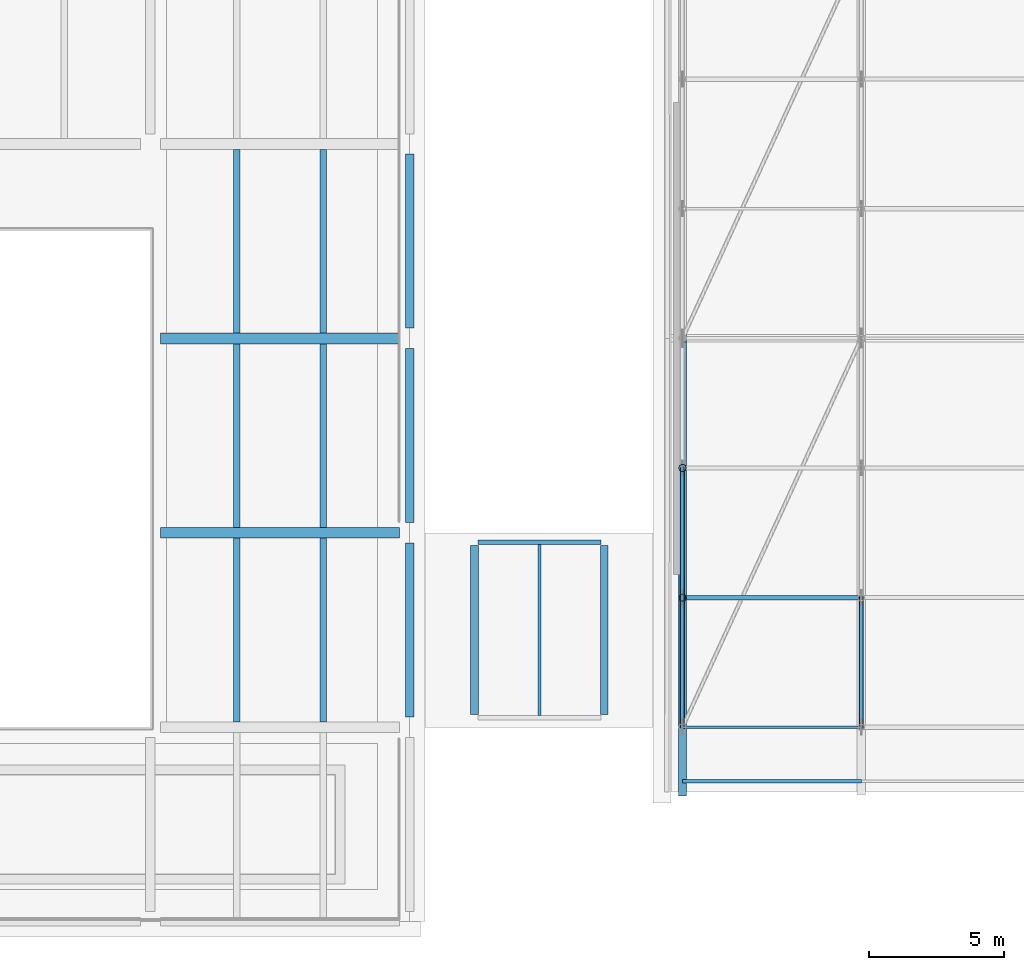
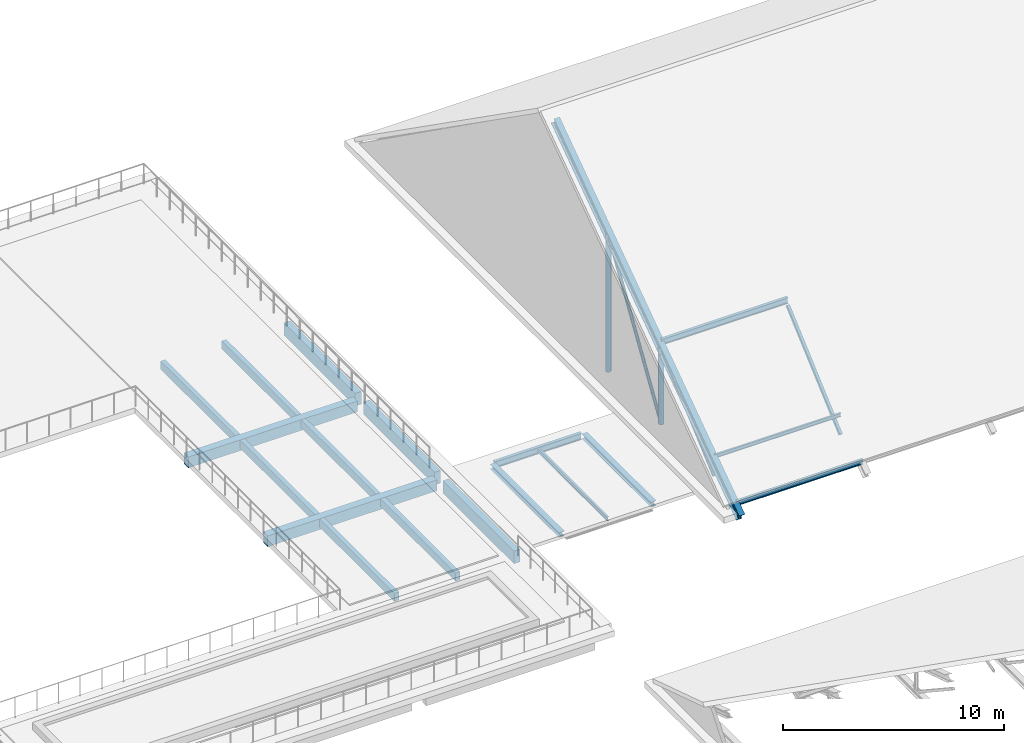
# One storey, part 49 of 134: 15 beams, 9 members.
"""IFC4 building model written with IfcOpenShell, lengths in metres."""

from ifc_helpers import new_model, si_unit, direction, frame, origin, origin_2d, place, context, subcontext, project, spatial, rectangle, hollow_rectangle, hollow_circle, i_section, extrude, material, material_profile, profile_set, type_object, element, save


model = new_model("IFC4")

# Units and contexts
model_context = context("Model", 3, precision=1e-05, world=origin(), true_north=direction((0.0, 1.0)))
body_context = subcontext(model_context, "Body", "Model", "MODEL_VIEW")
ifc_project = project(units=[si_unit("LENGTHUNIT", "METRE"), si_unit("AREAUNIT", "SQUARE_METRE"), si_unit("VOLUMEUNIT", "CUBIC_METRE"), si_unit("PLANEANGLEUNIT", "RADIAN"), si_unit("MASSUNIT", "GRAM", prefix="KILO")], contexts=[model_context])

# Site, building, storey
site_placement = place(None, origin())
site = spatial("IfcSite", under=ifc_project, at=site_placement, CompositionType="ELEMENT")
building_placement = place(site_placement, origin())
building = spatial("IfcBuilding", under=site, at=building_placement, Name="Asteropetra Specialist Clinic", CompositionType="ELEMENT")
storey_placement = place(building_placement, frame((0.0, 0.0, 8.5)))
storey = spatial("IfcBuildingStorey", under=building, at=storey_placement, Name="L02", CompositionType="ELEMENT", Elevation=8.5)

# Beams
ifc_material_1 = material(Name="Concrete C35/45", Category="concrete")
ifc_material_profile_1 = material_profile(ifc_material_1, rectangle(XDim=0.39990234375, YDim=0.60009765625, at=origin_2d()), Name="RCB 400x600")
ifc_profile_set_1 = profile_set([ifc_material_profile_1], Name="Concrete C35/45")
beam_type_1 = type_object("IfcBeamType", Name="BM-RC400x600", PredefinedType="BEAM", material=ifc_profile_set_1)
for number, where, z_axis, x_axis, name in (
    (1, (67.574951171875, 84.0, -0.610107421875), (1.0, 0.0, 0.0), (0.0, 1.0, 0.0), "Beam BBM08-0939"),
    (2, (67.574951171875, 91.199951171875, -0.610107421875), (1.0, 0.0, 0.0), (0.0, 1.0, 0.0), "Beam BBM08-0940"),
):
    element("IfcBeam", number, at=place(storey_placement, frame(where, z_axis=z_axis, x_axis=x_axis)), inside=storey, type_object=beam_type_1, Name=name, PredefinedType="BEAM", context=body_context, shape_type="SweptSolid", body=[
        extrude(rectangle(XDim=0.39990234375, YDim=0.60009765625, at=origin_2d()), origin(), (0.0, 0.0, 1.0), 8.85009765625),
    ])
ifc_material_2 = material(Name="Steel S355", Category="steel")
ifc_material_profile_2 = material_profile(ifc_material_2, i_section(OverallWidth=0.280029296875, OverallDepth=0.27001953125, WebThickness=0.008056640625, FlangeThickness=0.012939453125, FilletRadius=0.02392578125, at=origin_2d()), Name="HEA 280")
ifc_profile_set_2 = profile_set([ifc_material_profile_2], Name="Steel S355")
beam_type_2 = type_object("IfcBeamType", Name="BM-STL-HEA280", PredefinedType="BEAM", material=ifc_profile_set_2)
for number, where, z_axis, x_axis, name in (
    (3, (79.199951171875, 77.27001953125, -0.324951171875), (0.0, 1.0, 0.0), (-1.0, 0.0, 0.0), "Beam BBMS6-1356"),
    (4, (84.0, 77.27001953125, -0.324951171875), (0.0, 1.0, 0.0), (-1.0, 0.0, 0.0), "Beam BBMS6-1357"),
):
    element("IfcBeam", number, at=place(storey_placement, frame(where, z_axis=z_axis, x_axis=x_axis)), inside=storey, type_object=beam_type_2, Name=name, PredefinedType="BEAM", context=body_context, shape_type="SweptSolid", body=[
        extrude(i_section(OverallWidth=0.280029296875, OverallDepth=0.27001953125, WebThickness=0.008056640625, FlangeThickness=0.012939453125, FilletRadius=0.02392578125, at=origin_2d()), origin(), (0.0, 0.0, 1.0), 6.260009765625),
    ])
ifc_material_3 = material(Name="Steel S355", Category="steel")
ifc_material_profile_3 = material_profile(ifc_material_3, i_section(OverallWidth=0.169921875, OverallDepth=0.360107421875, WebThickness=0.008056640625, FlangeThickness=0.0126953125, FilletRadius=0.01806640625, at=origin_2d()), Name="IPE 360")
ifc_profile_set_3 = profile_set([ifc_material_profile_3], Name="Steel S355")
beam_type_3 = type_object("IfcBeamType", Name="BM-STL-IPE360", PredefinedType="BEAM", material=ifc_profile_set_3)
beam_1_placement = place(storey_placement, frame((79.320068359375, 83.64990234375, -0.3701171875), z_axis=(1.0, 0.0, 0.0), x_axis=(0.0, 1.0, 0.0)))
element("IfcBeam", 5, at=beam_1_placement, inside=storey, type_object=beam_type_3, Name="Beam BBMS4-1355", PredefinedType="BEAM", context=body_context, shape_type="SweptSolid", body=[
    extrude(i_section(OverallWidth=0.169921875, OverallDepth=0.360107421875, WebThickness=0.008056640625, FlangeThickness=0.0126953125, FilletRadius=0.01806640625, at=origin_2d()), origin(), (0.0, 0.0, 1.0), 4.559814453125),
])
ifc_material_4 = material(Name="Concrete C35/45", Category="concrete")
ifc_material_profile_4 = material_profile(ifc_material_4, rectangle(XDim=0.239990234375, YDim=0.449951171875, at=origin_2d()), Name="RCJ 240x450")
ifc_profile_set_4 = profile_set([ifc_material_profile_4], Name="Concrete C35/45")
beam_type_4 = type_object("IfcBeamType", Name="JST-RC240x450", PredefinedType="JOIST", material=ifc_profile_set_4)
for number, where, z_axis, x_axis, name in (
    (6, (70.39990234375, 77.0, -0.534912109375), (0.0, 1.0, 0.0), (-1.0, 0.0, 0.0), "Joist JJST03-0957"),
    (7, (73.60009765625, 77.0, -0.534912109375), (0.0, 1.0, 0.0), (-1.0, 0.0, 0.0), "Joist JJST03-0958"),
    (8, (70.39990234375, 84.199951171875, -0.534912109375), (0.0, 1.0, 0.0), (-1.0, 0.0, 0.0), "Joist JJST03-0960"),
    (9, (73.60009765625, 84.199951171875, -0.534912109375), (0.0, 1.0, 0.0), (-1.0, 0.0, 0.0), "Joist JJST03-0961"),
    (10, (70.39990234375, 91.39990234375, -0.534912109375), (0.0, 1.0, 0.0), (-1.0, 0.0, 0.0), "Joist JJST03-0963"),
    (11, (73.60009765625, 91.39990234375, -0.534912109375), (0.0, 1.0, 0.0), (-1.0, 0.0, 0.0), "Joist JJST03-0964"),
):
    element("IfcBeam", number, at=place(storey_placement, frame(where, z_axis=z_axis, x_axis=x_axis)), inside=storey, type_object=beam_type_4, Name=name, PredefinedType="JOIST", context=body_context, shape_type="SweptSolid", body=[
        extrude(rectangle(XDim=0.239990234375, YDim=0.449951171875, at=origin_2d()), origin(), (0.0, 0.0, 1.0), 6.800048828125),
    ])
ifc_material_5 = material(Name="Steel S355", Category="steel")
ifc_material_profile_5 = material_profile(ifc_material_5, i_section(OverallWidth=0.110107421875, OverallDepth=0.219970703125, WebThickness=0.005859375, FlangeThickness=0.00927734375, FilletRadius=0.011962890625, at=origin_2d()), Name="IPE 220")
ifc_profile_set_5 = profile_set([ifc_material_profile_5], Name="Steel S355")
beam_type_5 = type_object("IfcBeamType", Name="JST-STL-IPE220", PredefinedType="JOIST", material=ifc_profile_set_5)
beam_2_placement = place(storey_placement, frame((81.60009765625, 77.235107421875, -0.300048828125), z_axis=(0.0, 1.0, 0.0), x_axis=(-1.0, 0.0, 0.0)))
element("IfcBeam", 12, at=beam_2_placement, inside=storey, type_object=beam_type_5, Name="Joist JJSTS2-1358", PredefinedType="JOIST", context=body_context, shape_type="SweptSolid", body=[
    extrude(i_section(OverallWidth=0.110107421875, OverallDepth=0.219970703125, WebThickness=0.005859375, FlangeThickness=0.00927734375, FilletRadius=0.011962890625, at=origin_2d()), origin(), (0.0, 0.0, 1.0), 6.329833984375),
])
ifc_material_6 = material(Name="Concrete C35/45", Category="concrete")
ifc_material_profile_6 = material_profile(ifc_material_6, rectangle(XDim=0.320068359375, YDim=0.699951171875, at=origin_2d()), Name="RCS 320x700")
ifc_profile_set_6 = profile_set([ifc_material_profile_6], Name="Concrete C35/45")
beam_type_6 = type_object("IfcBeamType", Name="SPN-RC320x700", PredefinedType="SPANDREL", material=ifc_profile_set_6)
for number, where, z_axis, x_axis, name in (
    (13, (76.800048828125, 77.175048828125, -0.659912109375), (0.0, 1.0, 0.0), (-1.0, 0.0, 0.0), "Beam BSPN02-0956"),
    (14, (76.800048828125, 84.375, -0.659912109375), (0.0, 1.0, 0.0), (-1.0, 0.0, 0.0), "Beam BSPN02-0959"),
    (15, (76.800048828125, 91.574951171875, -0.659912109375), (0.0, 1.0, 0.0), (-1.0, 0.0, 0.0), "Beam BSPN02-0962"),
):
    element("IfcBeam", number, at=place(storey_placement, frame(where, z_axis=z_axis, x_axis=x_axis)), inside=storey, type_object=beam_type_6, Name=name, PredefinedType="SPANDREL", context=body_context, shape_type="SweptSolid", body=[
        extrude(rectangle(XDim=0.320068359375, YDim=0.699951171875, at=origin_2d()), origin(), (0.0, 0.0, 1.0), 6.449951171875),
    ])

# Members
ifc_material_7 = material(Name="Steel S355", Category="steel")
ifc_material_profile_7 = material_profile(ifc_material_7, hollow_circle(Radius=0.084228515625, WallThickness=0.008056640625, at=origin_2d()), Name="CHS 168.3x8.0")
ifc_profile_set_7 = profile_set([ifc_material_profile_7], Name="Steel S355")
member_type_1 = type_object("IfcMemberType", Name="TR-BRC-CHS168", PredefinedType="BRACE", material=ifc_profile_set_7)
member_1_placement = place(storey_placement, frame((86.89990234375, 76.800048828125, 0.4951171875), z_axis=(0.0, 0.750802143462, 0.660527169292), x_axis=(-1.0, 0.0, 0.0)))
element("IfcMember", 16, at=member_1_placement, inside=storey, type_object=member_type_1, Name="Truss Web Diagonal TRV1-D01-0", PredefinedType="BRACE", context=body_context, shape_type="SweptSolid", body=[
    extrude(hollow_circle(Radius=0.084228515625, WallThickness=0.008056640625, at=origin_2d()), origin(), (0.0, 0.0, 1.0), 6.393310546875),
])
member_2_placement = place(storey_placement, frame((86.89990234375, 81.60009765625, 0.4951171875), z_axis=(0.0, 0.534254703951, 0.845323554212), x_axis=(-1.0, 0.0, 0.0)))
element("IfcMember", 17, at=member_2_placement, inside=storey, type_object=member_type_1, Name="Truss Web Diagonal TRV1-D01-1", PredefinedType="BRACE", context=body_context, shape_type="SweptSolid", body=[
    extrude(hollow_circle(Radius=0.084228515625, WallThickness=0.008056640625, at=origin_2d()), origin(), (0.0, 0.0, 1.0), 8.984130859375),
])
ifc_material_8 = material(Name="Steel S355", Category="steel")
ifc_material_profile_8 = material_profile(ifc_material_8, hollow_rectangle(XDim=0.159912109375, YDim=0.159912109375, WallThickness=0.008056640625, InnerFilletRadius=0.008056640625, OuterFilletRadius=0.01611328125, at=origin_2d()), Name="SHS 160x160x8.0")
ifc_profile_set_8 = profile_set([ifc_material_profile_8], Name="Steel S355")
member_type_2 = type_object("IfcMemberType", Name="TR-BRC-SHS160", PredefinedType="BRACE", material=ifc_profile_set_8)
member_3_placement = place(storey_placement, frame((93.52001953125, 76.800048828125, 0.469970703125), z_axis=(0.0, 0.748853326805, 0.662735765546), x_axis=(-1.0, 0.0, 0.0)))
element("IfcMember", 18, at=member_3_placement, inside=storey, type_object=member_type_2, Name="Truss Web Diagonal TRV1-D02-0", PredefinedType="BRACE", context=body_context, shape_type="SweptSolid", body=[
    extrude(hollow_rectangle(XDim=0.159912109375, YDim=0.159912109375, WallThickness=0.008056640625, InnerFilletRadius=0.008056640625, OuterFilletRadius=0.01611328125, at=origin_2d()), origin(), (0.0, 0.0, 1.0), 6.409912109375),
])
ifc_material_9 = material(Name="Steel S355", Category="steel")
ifc_material_profile_9 = material_profile(ifc_material_9, i_section(OverallWidth=0.300048828125, OverallDepth=0.489990234375, WebThickness=0.011962890625, FlangeThickness=0.02294921875, FilletRadius=0.027099609375, at=origin_2d()), Name="HEA 500")
ifc_profile_set_9 = profile_set([ifc_material_profile_9], Name="Steel S355")
member_type_3 = type_object("IfcMemberType", Name="TR-CHD-HEA500", PredefinedType="CHORD", material=ifc_profile_set_9)
member_4_placement = place(storey_placement, frame((86.89990234375, 74.39990234375, -0.339111328125), z_axis=(0.0, 0.818315202226, 0.574769718936), x_axis=(-1.0, 0.0, 0.0)))
element("IfcMember", 19, at=member_4_placement, inside=storey, type_object=member_type_3, Name="Truss South Top Chord TRV1-TCS01", PredefinedType="CHORD", context=body_context, shape_type="SweptSolid", body=[
    extrude(i_section(OverallWidth=0.300048828125, OverallDepth=0.489990234375, WebThickness=0.011962890625, FlangeThickness=0.02294921875, FilletRadius=0.027099609375, at=origin_2d()), origin(), (0.0, 0.0, 1.0), 20.530029296875),
])
ifc_material_10 = material(Name="Steel S355", Category="steel")
ifc_material_profile_10 = material_profile(ifc_material_10, i_section(OverallWidth=0.10009765625, OverallDepth=0.199951171875, WebThickness=0.005615234375, FlangeThickness=0.008544921875, FilletRadius=0.011962890625, at=origin_2d()), Name="IPE 200")
ifc_profile_set_10 = profile_set([ifc_material_profile_10], Name="Steel S355")
member_type_4 = type_object("IfcMemberType", Name="TR-PUR-IPE200", PredefinedType="PURLIN", material=ifc_profile_set_10)
member_5_placement = place(storey_placement, frame((86.89990234375, 76.800048828125, 1.58154296875), z_axis=(1.0, 0.0, 0.0), x_axis=(0.0, 1.0, 0.0)))
element("IfcMember", 20, at=member_5_placement, inside=storey, type_object=member_type_4, Name="Roof Purlin TRV1-P01-02", PredefinedType="PURLIN", context=body_context, shape_type="SweptSolid", body=[
    extrude(i_section(OverallWidth=0.10009765625, OverallDepth=0.199951171875, WebThickness=0.005615234375, FlangeThickness=0.008544921875, FilletRadius=0.011962890625, at=origin_2d()), origin(), (0.0, 0.0, 1.0), 6.6201171875),
])
ifc_material_11 = material(Name="Steel S355", Category="steel")
ifc_material_profile_11 = material_profile(ifc_material_11, i_section(OverallWidth=0.135009765625, OverallDepth=0.27001953125, WebThickness=0.006591796875, FlangeThickness=0.01025390625, FilletRadius=0.014892578125, at=origin_2d()), Name="IPE 270")
ifc_profile_set_11 = profile_set([ifc_material_profile_11], Name="Steel S355")
member_type_5 = type_object("IfcMemberType", Name="TR-PUR-IPE270", PredefinedType="PURLIN", material=ifc_profile_set_11)
member_6_placement = place(storey_placement, frame((86.89990234375, 74.800048828125, 0.2119140625), z_axis=(1.0, 0.0, 0.0), x_axis=(0.0, 1.0, 0.0)))
element("IfcMember", 21, at=member_6_placement, inside=storey, type_object=member_type_5, Name="Roof Purlin TRV1-P01-01", PredefinedType="PURLIN", context=body_context, shape_type="SweptSolid", body=[
    extrude(i_section(OverallWidth=0.135009765625, OverallDepth=0.27001953125, WebThickness=0.006591796875, FlangeThickness=0.01025390625, FilletRadius=0.014892578125, at=origin_2d()), origin(), (0.0, 0.0, 1.0), 6.6201171875),
])
ifc_material_12 = material(Name="Steel S355", Category="steel")
ifc_material_profile_12 = material_profile(ifc_material_12, i_section(OverallWidth=0.159912109375, OverallDepth=0.330078125, WebThickness=0.007568359375, FlangeThickness=0.011474609375, FilletRadius=0.01806640625, at=origin_2d()), Name="IPE 330")
ifc_profile_set_12 = profile_set([ifc_material_profile_12], Name="Steel S355")
member_type_6 = type_object("IfcMemberType", Name="TR-PUR-IPE330", PredefinedType="PURLIN", material=ifc_profile_set_12)
member_7_placement = place(storey_placement, frame((86.89990234375, 81.60009765625, 5.01806640625), z_axis=(1.0, 0.0, 0.0), x_axis=(0.0, 1.0, 0.0)))
element("IfcMember", 22, at=member_7_placement, inside=storey, type_object=member_type_6, Name="Roof Purlin TRV1-P01-03", PredefinedType="PURLIN", context=body_context, shape_type="SweptSolid", body=[
    extrude(i_section(OverallWidth=0.159912109375, OverallDepth=0.330078125, WebThickness=0.007568359375, FlangeThickness=0.011474609375, FilletRadius=0.01806640625, at=origin_2d()), origin(), (0.0, 0.0, 1.0), 6.6201171875),
])
ifc_material_13 = material(Name="Steel S355", Category="steel")
ifc_material_profile_13 = material_profile(ifc_material_13, hollow_circle(Radius=0.136474609375, WallThickness=0.012451171875, at=origin_2d()), Name="CHS 273.0x12.5")
ifc_profile_set_13 = profile_set([ifc_material_profile_13], Name="Steel S355")
member_type_7 = type_object("IfcMemberType", Name="TR-STR-CHS273", PredefinedType="STRUT", material=ifc_profile_set_13)
member_8_placement = place(storey_placement, frame((86.89990234375, 81.60009765625, 0.4951171875), z_axis=(0.0, 0.0, 1.0), x_axis=(1.0, 0.0, 0.0)))
element("IfcMember", 23, at=member_8_placement, inside=storey, type_object=member_type_7, Name="Truss Web Strut TRV1-V01-1", PredefinedType="STRUT", context=body_context, shape_type="SweptSolid", body=[
    extrude(hollow_circle(Radius=0.136474609375, WallThickness=0.012451171875, at=origin_2d()), origin(), (0.0, 0.0, 1.0), 4.222900390625),
])
member_9_placement = place(storey_placement, frame((86.89990234375, 86.39990234375, 0.4951171875), z_axis=(0.0, 0.0, 1.0), x_axis=(1.0, 0.0, 0.0)))
element("IfcMember", 24, at=member_9_placement, inside=storey, type_object=member_type_7, Name="Truss Web Strut TRV1-V01-2", PredefinedType="STRUT", context=body_context, shape_type="SweptSolid", body=[
    extrude(hollow_circle(Radius=0.136474609375, WallThickness=0.012451171875, at=origin_2d()), origin(), (0.0, 0.0, 1.0), 7.594482421875),
])

save(model, "model.ifc")
